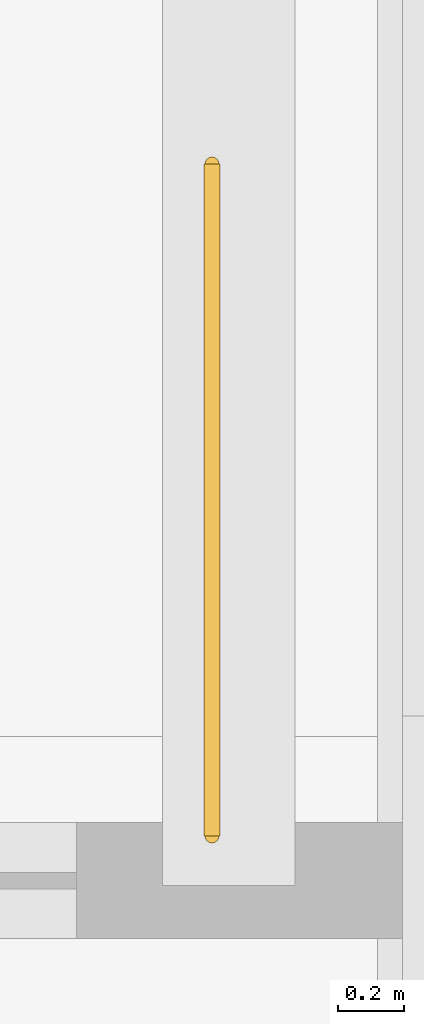
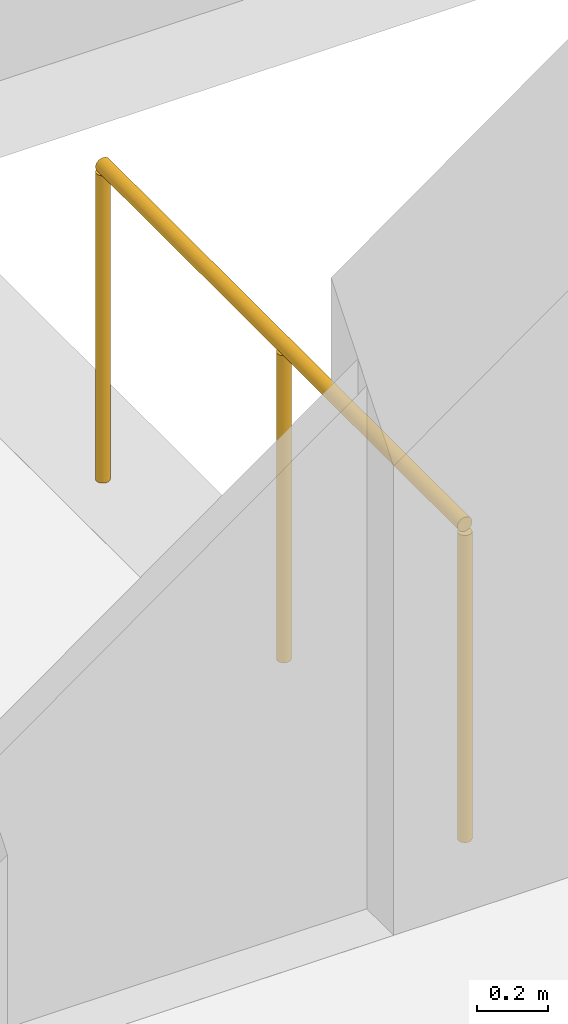
# One storey, part 78 of 78: 1 railing.
"""IFC4 building model written with IfcOpenShell, lengths in metres."""

from ifc_helpers import new_model, si_unit, direction, frame, origin, origin_2d, place, context, subcontext, project, spatial, circle, extrude, material, type_object, element, save


model = new_model("IFC4")

# Units and contexts
model_context = context("Model", 3, precision=1e-05, world=origin(), true_north=direction((0.0, 1.0)))
body_context = subcontext(model_context, "Body", "Model", "MODEL_VIEW")
ifc_project = project(units=[si_unit("LENGTHUNIT", "METRE"), si_unit("AREAUNIT", "SQUARE_METRE"), si_unit("VOLUMEUNIT", "CUBIC_METRE"), si_unit("PLANEANGLEUNIT", "RADIAN"), si_unit("MASSUNIT", "GRAM", prefix="KILO")], contexts=[model_context])

# Site, building, storey
site_placement = place(None, origin())
site = spatial("IfcSite", under=ifc_project, at=site_placement, CompositionType="ELEMENT")
building_placement = place(site_placement, origin())
building = spatial("IfcBuilding", under=site, at=building_placement, Name="Quendrovan Civic Courthouse", CompositionType="ELEMENT")
storey_placement = place(building_placement, frame((0.0, 0.0, 20.39990234375)))
storey = spatial("IfcBuildingStorey", under=building, at=storey_placement, Name="L05", CompositionType="ELEMENT", Elevation=20.39990234375)

# Railing
ifc_material = material(Name="Painted galvanized steel", Category="steel")
railing_type = type_object("IfcRailingType", Name="RL-STR-GUARD1100", PredefinedType="GUARDRAIL", material=ifc_material)
railing_placement = place(storey_placement, frame((113.199951171875, 95.85009765625, 0.0)))
element("IfcRailing", 1, at=railing_placement, inside=storey, type_object=railing_type, Name="L05 ST6 top well guard 1", PredefinedType="GUARDRAIL", context=body_context, shape_type="SweptSolid", body=[
    extrude(circle(Radius=0.02392578125, at=origin_2d()), frame((0.0, 0.0, 1.076171875), z_axis=(0.0, 1.0, 0.0), x_axis=(-1.0, 0.0, 0.0)), (0.0, 0.0, 1.0), 2.02978515625),
    extrude(circle(Radius=0.02099609375, at=origin_2d()), origin(), (0.0, 0.0, 1.0), 1.052001953125),
    extrude(circle(Radius=0.02099609375, at=origin_2d()), frame((0.0, 1.014892578125, 0.0)), (0.0, 0.0, 1.0), 1.052001953125),
    extrude(circle(Radius=0.02099609375, at=origin_2d()), frame((0.0, 2.02978515625, 0.0)), (0.0, 0.0, 1.0), 1.052001953125),
])

save(model, "model.ifc")
